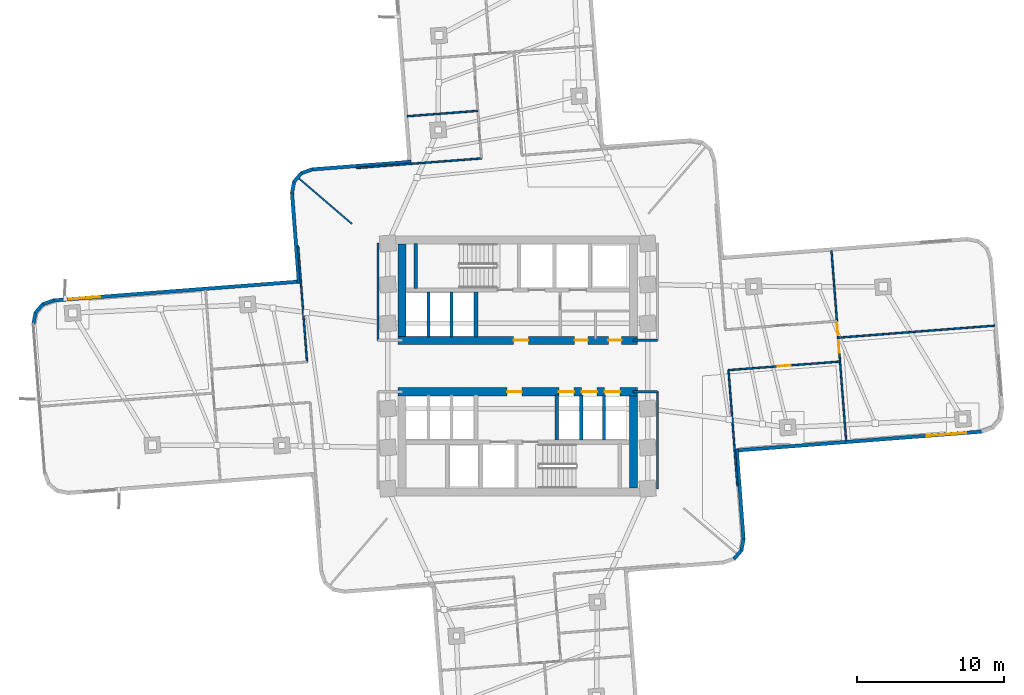
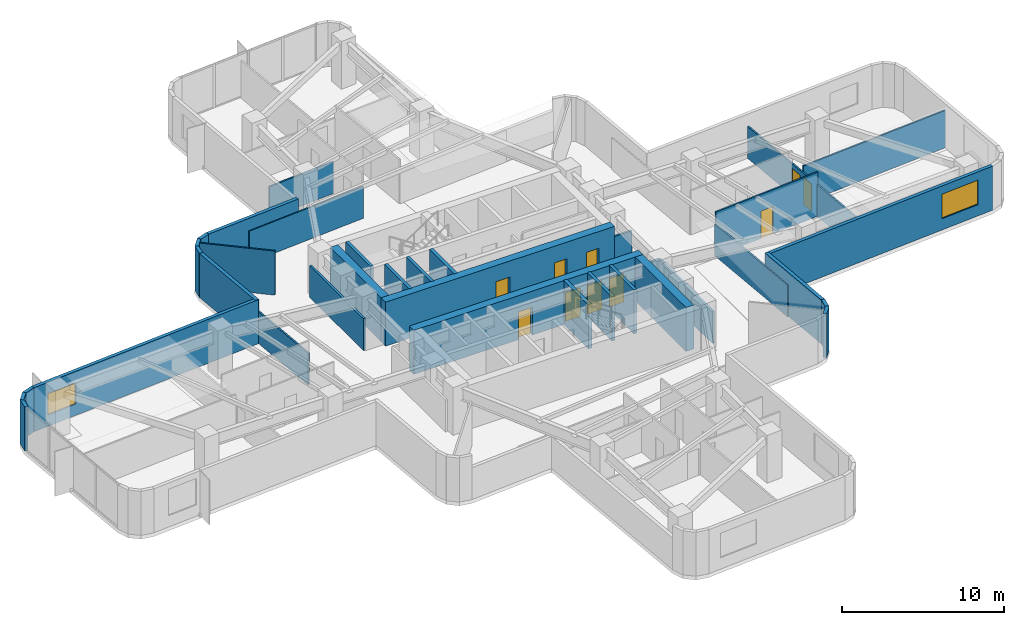
# One storey, part 9 of 15: 36 walls, 10 doors, 2 windows, 12 openings.
"""IFC4 building model written with IfcOpenShell, lengths in metres."""

from ifc_helpers import new_model, si_unit, direction, frame, frame_2d, origin, place, context, subcontext, project, spatial, rectangle, extrude, material, layer, layer_set, type_object, element, fill, save


model = new_model("IFC4")

# Units and contexts
model_context = context("Model", 3, precision=1e-05, world=origin(), true_north=direction((0.0, 1.0)))
body_context = subcontext(model_context, "Body", "Model", "MODEL_VIEW")
ifc_project = project(units=[si_unit("LENGTHUNIT", "METRE"), si_unit("AREAUNIT", "SQUARE_METRE"), si_unit("VOLUMEUNIT", "CUBIC_METRE"), si_unit("PLANEANGLEUNIT", "RADIAN"), si_unit("MASSUNIT", "GRAM", prefix="KILO")], contexts=[model_context])

# Site, building, storey
site_placement = place(None, origin())
site = spatial("IfcSite", under=ifc_project, at=site_placement, CompositionType="ELEMENT")
building_placement = place(site_placement, origin())
building = spatial("IfcBuilding", under=site, at=building_placement, Name="Solmarez Civic Tower", CompositionType="ELEMENT")
storey_placement = place(building_placement, frame((0.0, 0.0, 60.47998046875)))
storey = spatial("IfcBuildingStorey", under=building, at=storey_placement, Name="L15", CompositionType="ELEMENT", Elevation=60.47998046875)

# Wall, openings, doors
ifc_material_1 = material(Name="Concrete C60/75", Category="concrete")
ifc_layer_1 = layer(ifc_material_1, 0.550048828125)
ifc_layer_set_1 = layer_set([ifc_layer_1], Name="Concrete C60/75")
wall_type_1 = type_object("IfcWallType", Name="WALL-CORE-550", PredefinedType="SHEAR", material=ifc_layer_set_1)
wall_1_placement = place(storey_placement, frame((8.169921875, 1.75, 0.0), z_axis=(0.0, 0.0, 1.0), x_axis=(-1.0, 0.0, 0.0)))
wall_1 = element("IfcWall", 1, at=wall_1_placement, inside=storey, type_object=wall_type_1, Name="L15 Split-Core Structural Wall NCW-S-L15", PredefinedType="SHEAR", context=body_context, shape_type="SweptSolid", body=[
    extrude(rectangle(XDim=16.33984375, YDim=0.550048828125, at=frame_2d((8.169921875, 0.0))), origin(), (0.0, 0.0, 1.0), 3.320068359375),
])
opening_1_placement = place(wall_1_placement, frame((7.449951171875, 0.0, 0.0)))
opening_1 = element("IfcOpeningElement", 2, at=opening_1_placement, cuts=wall_1, Name="Opening D-04", PredefinedType="OPENING", context=body_context, shape_type="SweptSolid", body=[
    extrude(rectangle(XDim=1.0, YDim=2.10009765625, at=frame_2d((0.5, 1.050048828125))), frame((0.0, 0.284912109375, 0.0), z_axis=(0.0, -1.0, 0.0), x_axis=(1.0, 0.0, 0.0)), (0.0, 0.0, 1.0), 0.570068359375),
])
opening_2_placement = place(wall_1_placement, frame((3.39990234375, 0.0, 0.0)))
opening_2 = element("IfcOpeningElement", 3, at=opening_2_placement, cuts=wall_1, Name="Opening D-09", PredefinedType="OPENING", context=body_context, shape_type="SweptSolid", body=[
    extrude(rectangle(XDim=0.89990234375, YDim=2.06005859375, at=frame_2d((0.449951171875, 1.030029296875))), frame((0.0, 0.284912109375, 0.0), z_axis=(0.0, -1.0, 0.0), x_axis=(1.0, 0.0, 0.0)), (0.0, 0.0, 1.0), 0.570068359375),
])
opening_3_placement = place(wall_1_placement, frame((1.10009765625, 0.0, 0.0)))
opening_3 = element("IfcOpeningElement", 4, at=opening_3_placement, cuts=wall_1, Name="Opening D-09", PredefinedType="OPENING", context=body_context, shape_type="SweptSolid", body=[
    extrude(rectangle(XDim=0.89990234375, YDim=2.06005859375, at=frame_2d((0.449951171875, 1.030029296875))), frame((0.0, 0.284912109375, 0.0), z_axis=(0.0, -1.0, 0.0), x_axis=(1.0, 0.0, 0.0)), (0.0, 0.0, 1.0), 0.570068359375),
])
ifc_material_2 = material(Name="Steel-Faced Acoustic Fire Door", Category="steel")
door_type_1 = type_object("IfcDoorType", Name="DOOR-FD60-1000", OperationType="NOTDEFINED", PredefinedType="DOOR", material=ifc_material_2)
door_1_placement = place(opening_1_placement, origin())
door_1 = element("IfcDoor", 5, at=door_1_placement, inside=storey, type_object=door_type_1, Name="L15 North Firefighting Lobby Door", OperationType="SINGLE_SWING_RIGHT", OverallHeight=2.10009765625, OverallWidth=1.0, PredefinedType="DOOR", context=body_context, shape_type="SweptSolid", body=[
    extrude(rectangle(XDim=1.0, YDim=2.10009765625, at=frame_2d((0.5, 1.050048828125))), frame((0.0, 0.02490234375, 0.0), z_axis=(0.0, -1.0, 0.0), x_axis=(1.0, 0.0, 0.0)), (0.0, 0.0, 1.0), 0.050048828125),
])
fill(opening_1, door_1)
ifc_material_3 = material(Name="Fire-Rated Service Core Door", Category="wood")
door_type_2 = type_object("IfcDoorType", Name="DOOR-FD60-900", OperationType="NOTDEFINED", PredefinedType="DOOR", material=ifc_material_3)
door_2_placement = place(opening_2_placement, origin())
door_2 = element("IfcDoor", 6, at=door_2_placement, inside=storey, type_object=door_type_2, Name="L15 Core WC Door", OperationType="SINGLE_SWING_LEFT", OverallHeight=2.06005859375, OverallWidth=0.89990234375, PredefinedType="DOOR", context=body_context, shape_type="SweptSolid", body=[
    extrude(rectangle(XDim=0.89990234375, YDim=2.06005859375, at=frame_2d((0.449951171875, 1.030029296875))), frame((0.0, 0.02490234375, 0.0), z_axis=(0.0, -1.0, 0.0), x_axis=(1.0, 0.0, 0.0)), (0.0, 0.0, 1.0), 0.050048828125),
])
fill(opening_2, door_2)
door_3_placement = place(opening_3_placement, origin())
door_3 = element("IfcDoor", 7, at=door_3_placement, inside=storey, type_object=door_type_2, Name="L15 Core CL Door", OperationType="SINGLE_SWING_RIGHT", OverallHeight=2.06005859375, OverallWidth=0.89990234375, PredefinedType="DOOR", context=body_context, shape_type="SweptSolid", body=[
    extrude(rectangle(XDim=0.89990234375, YDim=2.06005859375, at=frame_2d((0.449951171875, 1.030029296875))), frame((0.0, 0.02490234375, 0.0), z_axis=(0.0, -1.0, 0.0), x_axis=(1.0, 0.0, 0.0)), (0.0, 0.0, 1.0), 0.050048828125),
])
fill(opening_3, door_3)

# Wall
wall_2_placement = place(storey_placement, frame((-7.89501953125, 2.02490234375, 0.0), z_axis=(0.0, 0.0, 1.0), x_axis=(0.0, 1.0, 0.0)))
element("IfcWall", 8, at=wall_2_placement, inside=storey, type_object=wall_type_1, Name="L15 Split-Core Structural Wall NCW-W-L15", PredefinedType="SHEAR", context=body_context, shape_type="SweptSolid", body=[
    extrude(rectangle(XDim=6.28515625, YDim=0.550048828125, at=frame_2d((3.142578125, 0.0))), origin(), (0.0, 0.0, 1.0), 3.320068359375),
])

# Wall, openings, doors
wall_3_placement = place(storey_placement, frame((-8.169921875, -1.75, 0.0), z_axis=(0.0, 0.0, 1.0), x_axis=(1.0, 0.0, 0.0)))
wall_3 = element("IfcWall", 9, at=wall_3_placement, inside=storey, type_object=wall_type_1, Name="L15 Split-Core Structural Wall SCW-N-L15", PredefinedType="SHEAR", context=body_context, shape_type="SweptSolid", body=[
    extrude(rectangle(XDim=16.33984375, YDim=0.550048828125, at=frame_2d((8.169921875, 0.0))), origin(), (0.0, 0.0, 1.0), 3.320068359375),
])
opening_4_placement = place(wall_3_placement, frame((7.449951171875, 0.0, 0.0)))
opening_4 = element("IfcOpeningElement", 10, at=opening_4_placement, cuts=wall_3, Name="Opening D-04", PredefinedType="OPENING", context=body_context, shape_type="SweptSolid", body=[
    extrude(rectangle(XDim=1.0, YDim=2.10009765625, at=frame_2d((0.5, 1.050048828125))), frame((0.0, 0.284912109375, 0.0), z_axis=(0.0, -1.0, 0.0), x_axis=(1.0, 0.0, 0.0)), (0.0, 0.0, 1.0), 0.570068359375),
])
opening_5_placement = place(wall_3_placement, frame((10.965087890625, 0.0, 0.0)))
opening_5 = element("IfcOpeningElement", 11, at=opening_5_placement, cuts=wall_3, Name="Opening LD-01", PredefinedType="OPENING", context=body_context, shape_type="SweptSolid", body=[
    extrude(rectangle(XDim=1.050048828125, YDim=2.14990234375, at=frame_2d((0.52490234375, 1.074951171875))), frame((0.0, 0.284912109375, 0.0), z_axis=(0.0, -1.0, 0.0), x_axis=(1.0, 0.0, 0.0)), (0.0, 0.0, 1.0), 0.570068359375),
])
opening_6_placement = place(wall_3_placement, frame((12.52490234375, 0.0, 0.0)))
opening_6 = element("IfcOpeningElement", 12, at=opening_6_placement, cuts=wall_3, Name="Opening LD-01", PredefinedType="OPENING", context=body_context, shape_type="SweptSolid", body=[
    extrude(rectangle(XDim=1.050048828125, YDim=2.14990234375, at=frame_2d((0.52490234375, 1.074951171875))), frame((0.0, 0.284912109375, 0.0), z_axis=(0.0, -1.0, 0.0), x_axis=(1.0, 0.0, 0.0)), (0.0, 0.0, 1.0), 0.570068359375),
])
opening_7_placement = place(wall_3_placement, frame((14.0849609375, 0.0, 0.0)))
opening_7 = element("IfcOpeningElement", 13, at=opening_7_placement, cuts=wall_3, Name="Opening LD-01", PredefinedType="OPENING", context=body_context, shape_type="SweptSolid", body=[
    extrude(rectangle(XDim=1.050048828125, YDim=2.14990234375, at=frame_2d((0.52490234375, 1.074951171875))), frame((0.0, 0.284912109375, 0.0), z_axis=(0.0, -1.0, 0.0), x_axis=(1.0, 0.0, 0.0)), (0.0, 0.0, 1.0), 0.570068359375),
])
door_4_placement = place(opening_4_placement, origin())
door_4 = element("IfcDoor", 14, at=door_4_placement, inside=storey, type_object=door_type_1, Name="L15 South Firefighting Lobby Door", OperationType="SINGLE_SWING_LEFT", OverallHeight=2.10009765625, OverallWidth=1.0, PredefinedType="DOOR", context=body_context, shape_type="SweptSolid", body=[
    extrude(rectangle(XDim=1.0, YDim=2.10009765625, at=frame_2d((0.5, 1.050048828125))), frame((0.0, 0.02490234375, 0.0), z_axis=(0.0, -1.0, 0.0), x_axis=(1.0, 0.0, 0.0)), (0.0, 0.0, 1.0), 0.050048828125),
])
fill(opening_4, door_4)
ifc_material_4 = material(Name="Bronze Passenger Lift Landing Sliding Door", Category="aluminium")
door_type_3 = type_object("IfcDoorType", Name="DOOR-LD-PAX-1050", OperationType="DOUBLE_DOOR_SLIDING", PredefinedType="DOOR", material=ifc_material_4)
door_5_placement = place(opening_5_placement, origin())
door_5 = element("IfcDoor", 15, at=door_5_placement, inside=storey, type_object=door_type_3, Name="L15 Low-Rise Lift Landing Door PL-L1", OperationType="DOUBLE_DOOR_SLIDING", OverallHeight=2.14990234375, OverallWidth=1.050048828125, PredefinedType="DOOR", context=body_context, shape_type="SweptSolid", body=[
    extrude(rectangle(XDim=1.050048828125, YDim=2.14990234375, at=frame_2d((0.52490234375, 1.074951171875))), frame((0.0, 0.02490234375, 0.0), z_axis=(0.0, -1.0, 0.0), x_axis=(1.0, 0.0, 0.0)), (0.0, 0.0, 1.0), 0.050048828125),
])
fill(opening_5, door_5)
door_6_placement = place(opening_6_placement, origin())
door_6 = element("IfcDoor", 16, at=door_6_placement, inside=storey, type_object=door_type_3, Name="L15 Low-Rise Lift Landing Door PL-L2", OperationType="DOUBLE_DOOR_SLIDING", OverallHeight=2.14990234375, OverallWidth=1.050048828125, PredefinedType="DOOR", context=body_context, shape_type="SweptSolid", body=[
    extrude(rectangle(XDim=1.050048828125, YDim=2.14990234375, at=frame_2d((0.52490234375, 1.074951171875))), frame((0.0, 0.02490234375, 0.0), z_axis=(0.0, -1.0, 0.0), x_axis=(1.0, 0.0, 0.0)), (0.0, 0.0, 1.0), 0.050048828125),
])
fill(opening_6, door_6)
door_7_placement = place(opening_7_placement, origin())
door_7 = element("IfcDoor", 17, at=door_7_placement, inside=storey, type_object=door_type_3, Name="L15 Low-Rise Lift Landing Door PL-L3", OperationType="DOUBLE_DOOR_SLIDING", OverallHeight=2.14990234375, OverallWidth=1.050048828125, PredefinedType="DOOR", context=body_context, shape_type="SweptSolid", body=[
    extrude(rectangle(XDim=1.050048828125, YDim=2.14990234375, at=frame_2d((0.52490234375, 1.074951171875))), frame((0.0, 0.02490234375, 0.0), z_axis=(0.0, -1.0, 0.0), x_axis=(1.0, 0.0, 0.0)), (0.0, 0.0, 1.0), 0.050048828125),
])
fill(opening_7, door_7)

# Walls
wall_4_placement = place(storey_placement, frame((7.89501953125, -2.02490234375, 0.0), z_axis=(0.0, 0.0, 1.0), x_axis=(0.0, -1.0, 0.0)))
element("IfcWall", 18, at=wall_4_placement, inside=storey, type_object=wall_type_1, Name="L15 Split-Core Structural Wall SCW-E-L15", PredefinedType="SHEAR", context=body_context, shape_type="SweptSolid", body=[
    extrude(rectangle(XDim=6.28515625, YDim=0.550048828125, at=frame_2d((3.142578125, 0.0))), origin(), (0.0, 0.0, 1.0), 3.320068359375),
])
ifc_material_5 = material(Name="Precast concrete C40/50", Category="concrete")
ifc_layer_2 = layer(ifc_material_5, 0.239990234375)
ifc_layer_set_2 = layer_set([ifc_layer_2], Name="Precast concrete C40/50")
wall_type_2 = type_object("IfcWallType", Name="WALL-EXT-240", PredefinedType="SOLIDWALL", material=ifc_layer_set_2)
wall_5_placement = place(storey_placement, frame((-33.001953125, 2.8359375, 0.0), z_axis=(0.0, 0.0, 1.0), x_axis=(0.185263427582, 0.982688894005, 0.0)))
element("IfcWall", 19, at=wall_5_placement, inside=storey, type_object=wall_type_2, Name="L15 Exterior Precast Wall 7", PredefinedType="SOLIDWALL", context=body_context, shape_type="SweptSolid", body=[
    extrude(rectangle(XDim=0.83154296875, YDim=0.239990234375, at=frame_2d((0.415771484375, 0.0))), origin(), (0.0, 0.0, 1.0), 3.320068359375),
])
wall_6_placement = place(storey_placement, frame((-32.868896484375, 3.60888671875, 0.0), z_axis=(0.0, 0.0, 1.0), x_axis=(0.650049601962, 0.759891778471, 0.0)))
element("IfcWall", 20, at=wall_6_placement, inside=storey, type_object=wall_type_2, Name="L15 Exterior Precast Wall 8", PredefinedType="SOLIDWALL", context=body_context, shape_type="SweptSolid", body=[
    extrude(rectangle(XDim=0.8134765625, YDim=0.239990234375, at=frame_2d((0.40673828125, 0.0))), origin(), (0.0, 0.0, 1.0), 3.320068359375),
])
wall_7_placement = place(storey_placement, frame((-32.3798828125, 4.199951171875, 0.0), z_axis=(0.0, 0.0, 1.0), x_axis=(0.943569376564, 0.331174926, 0.0)))
element("IfcWall", 21, at=wall_7_placement, inside=storey, type_object=wall_type_2, Name="L15 Exterior Precast Wall 9", PredefinedType="SOLIDWALL", context=body_context, shape_type="SweptSolid", body=[
    extrude(rectangle(XDim=0.830810546875, YDim=0.239990234375, at=frame_2d((0.41552734375, 0.0))), origin(), (0.0, 0.0, 1.0), 3.320068359375),
])

# Wall, opening, window
wall_8_placement = place(storey_placement, frame((-31.64501953125, 4.465087890625, 0.0), z_axis=(0.0, 0.0, 1.0), x_axis=(0.997051676532, 0.076733006752, 0.0)))
wall_8 = element("IfcWall", 22, at=wall_8_placement, inside=storey, type_object=wall_type_2, Name="L15 Exterior Precast Wall 10", PredefinedType="SOLIDWALL", context=body_context, shape_type="SweptSolid", body=[
    extrude(rectangle(XDim=16.875732421875, YDim=0.239990234375, at=frame_2d((8.43798828125, 0.0))), origin(), (0.0, 0.0, 1.0), 3.320068359375),
])
opening_8_placement = place(wall_8_placement, frame((1.10009765625, 0.0, 0.85009765625)))
opening_8 = element("IfcOpeningElement", 23, at=opening_8_placement, cuts=wall_8, Name="Opening W-11", PredefinedType="OPENING", context=body_context, shape_type="SweptSolid", body=[
    extrude(rectangle(XDim=2.10009765625, YDim=1.60009765625, at=frame_2d((1.050048828125, 0.800048828125))), frame((0.0, 0.1298828125, 0.0), z_axis=(0.0, -1.0, 0.0), x_axis=(1.0, 0.0, 0.0)), (0.0, 0.0, 1.0), 0.260009765625),
])
ifc_material_6 = material(Name="Solar Control Bronze-Tinted Insulating Glass", Category="glass")
window_type_1 = type_object("IfcWindowType", Name="WIN-2100X1600", PartitioningType="SINGLE_PANEL", PredefinedType="WINDOW", material=ifc_material_6)
window_1_placement = place(opening_8_placement, origin())
window_1 = element("IfcWindow", 24, at=window_1_placement, inside=storey, type_object=window_type_1, Name="L15 Exterior Facade Window 10", OverallHeight=1.60009765625, OverallWidth=2.10009765625, PartitioningType="SINGLE_PANEL", PredefinedType="WINDOW", context=body_context, shape_type="SweptSolid", body=[
    extrude(rectangle(XDim=2.10009765625, YDim=1.60009765625, at=frame_2d((1.050048828125, 0.800048828125))), frame((0.0, 0.030029296875, 0.0), z_axis=(0.0, -1.0, 0.0), x_axis=(1.0, 0.0, 0.0)), (0.0, 0.0, 1.0), 0.06005859375),
])
fill(opening_8, window_1)

# Walls
wall_9_placement = place(storey_placement, frame((-14.907958984375, 5.656982421875, 0.0), z_axis=(0.0, 0.0, 1.0), x_axis=(-0.076778128006, 0.997048202977, 0.0)))
element("IfcWall", 25, at=wall_9_placement, inside=storey, type_object=wall_type_2, Name="L15 Exterior Precast Wall 13", PredefinedType="SOLIDWALL", context=body_context, shape_type="SweptSolid", body=[
    extrude(rectangle(XDim=6.17529296875, YDim=0.239990234375, at=frame_2d((3.087646484375, 0.0))), origin(), (0.0, 0.0, 1.0), 3.320068359375),
])
wall_10_placement = place(storey_placement, frame((-15.385009765625, 11.763916015625, 0.0), z_axis=(0.0, 0.0, 1.0), x_axis=(0.185263427582, 0.982688894005, 0.0)))
element("IfcWall", 26, at=wall_10_placement, inside=storey, type_object=wall_type_2, Name="L15 Exterior Precast Wall 14", PredefinedType="SOLIDWALL", context=body_context, shape_type="SweptSolid", body=[
    extrude(rectangle(XDim=0.83154296875, YDim=0.239990234375, at=frame_2d((0.415771484375, 0.0))), origin(), (0.0, 0.0, 1.0), 3.320068359375),
])
wall_11_placement = place(storey_placement, frame((-15.251953125, 12.537109375, 0.0), z_axis=(0.0, 0.0, 1.0), x_axis=(0.650371098657, 0.759616636226, 0.0)))
element("IfcWall", 27, at=wall_11_placement, inside=storey, type_object=wall_type_2, Name="L15 Exterior Precast Wall 15", PredefinedType="SOLIDWALL", context=body_context, shape_type="SweptSolid", body=[
    extrude(rectangle(XDim=0.8134765625, YDim=0.239990234375, at=frame_2d((0.40673828125, 0.0))), origin(), (0.0, 0.0, 1.0), 3.320068359375),
])
wall_12_placement = place(storey_placement, frame((-14.762939453125, 13.1279296875, 0.0), z_axis=(0.0, 0.0, 1.0), x_axis=(0.943569376564, 0.331174926, 0.0)))
element("IfcWall", 28, at=wall_12_placement, inside=storey, type_object=wall_type_2, Name="L15 Exterior Precast Wall 16", PredefinedType="SOLIDWALL", context=body_context, shape_type="SweptSolid", body=[
    extrude(rectangle(XDim=0.830810546875, YDim=0.239990234375, at=frame_2d((0.41552734375, 0.0))), origin(), (0.0, 0.0, 1.0), 3.320068359375),
])
wall_13_placement = place(storey_placement, frame((-14.028076171875, 13.39306640625, 0.0), z_axis=(0.0, 0.0, 1.0), x_axis=(0.997050032451, 0.076754366588, 0.0)))
element("IfcWall", 29, at=wall_13_placement, inside=storey, type_object=wall_type_2, Name="L15 Exterior Precast Wall 17", PredefinedType="SOLIDWALL", context=body_context, shape_type="SweptSolid", body=[
    extrude(rectangle(XDim=6.775146484375, YDim=0.239990234375, at=frame_2d((3.3876953125, 0.0))), origin(), (0.0, 0.0, 1.0), 3.320068359375),
])

# Wall, opening, window
wall_14_placement = place(storey_placement, frame((31.64501953125, -4.465087890625, 0.0), z_axis=(0.0, 0.0, 1.0), x_axis=(-0.997051676532, -0.076733006752, 0.0)))
wall_14 = element("IfcWall", 30, at=wall_14_placement, inside=storey, type_object=wall_type_2, Name="L15 Exterior Precast Wall 46", PredefinedType="SOLIDWALL", context=body_context, shape_type="SweptSolid", body=[
    extrude(rectangle(XDim=16.875732421875, YDim=0.239990234375, at=frame_2d((8.43798828125, 0.0))), origin(), (0.0, 0.0, 1.0), 3.320068359375),
])
opening_9_placement = place(wall_14_placement, frame((1.10009765625, 0.0, 0.85009765625)))
opening_9 = element("IfcOpeningElement", 31, at=opening_9_placement, cuts=wall_14, Name="Opening W-05", PredefinedType="OPENING", context=body_context, shape_type="SweptSolid", body=[
    extrude(rectangle(XDim=2.699951171875, YDim=1.85009765625, at=frame_2d((1.35009765625, 0.925048828125))), frame((0.0, 0.1298828125, 0.0), z_axis=(0.0, -1.0, 0.0), x_axis=(1.0, 0.0, 0.0)), (0.0, 0.0, 1.0), 0.260009765625),
])
window_type_2 = type_object("IfcWindowType", Name="WIN-2700X1850", PartitioningType="SINGLE_PANEL", PredefinedType="WINDOW", material=ifc_material_6)
window_2_placement = place(opening_9_placement, origin())
window_2 = element("IfcWindow", 32, at=window_2_placement, inside=storey, type_object=window_type_2, Name="L15 Exterior Facade Window 46", OverallHeight=1.85009765625, OverallWidth=2.699951171875, PartitioningType="SINGLE_PANEL", PredefinedType="WINDOW", context=body_context, shape_type="SweptSolid", body=[
    extrude(rectangle(XDim=2.699951171875, YDim=1.85009765625, at=frame_2d((1.35009765625, 0.925048828125))), frame((0.0, 0.030029296875, 0.0), z_axis=(0.0, -1.0, 0.0), x_axis=(1.0, 0.0, 0.0)), (0.0, 0.0, 1.0), 0.06005859375),
])
fill(opening_9, window_2)

# Walls
wall_15_placement = place(storey_placement, frame((14.907958984375, -5.656982421875, 0.0), z_axis=(0.0, 0.0, 1.0), x_axis=(0.076778128006, -0.997048202977, 0.0)))
element("IfcWall", 33, at=wall_15_placement, inside=storey, type_object=wall_type_2, Name="L15 Exterior Precast Wall 49", PredefinedType="SOLIDWALL", context=body_context, shape_type="SweptSolid", body=[
    extrude(rectangle(XDim=6.17529296875, YDim=0.239990234375, at=frame_2d((3.087646484375, 0.0))), origin(), (0.0, 0.0, 1.0), 3.320068359375),
])
wall_16_placement = place(storey_placement, frame((15.385009765625, -11.763916015625, 0.0), z_axis=(0.0, 0.0, 1.0), x_axis=(-0.185263427582, -0.982688894005, 0.0)))
element("IfcWall", 34, at=wall_16_placement, inside=storey, type_object=wall_type_2, Name="L15 Exterior Precast Wall 50", PredefinedType="SOLIDWALL", context=body_context, shape_type="SweptSolid", body=[
    extrude(rectangle(XDim=0.83154296875, YDim=0.239990234375, at=frame_2d((0.415771484375, 0.0))), origin(), (0.0, 0.0, 1.0), 3.320068359375),
])
wall_17_placement = place(storey_placement, frame((15.251953125, -12.537109375, 0.0), z_axis=(0.0, 0.0, 1.0), x_axis=(-0.650371098657, -0.759616636226, 0.0)))
element("IfcWall", 35, at=wall_17_placement, inside=storey, type_object=wall_type_2, Name="L15 Exterior Precast Wall 51", PredefinedType="SOLIDWALL", context=body_context, shape_type="SweptSolid", body=[
    extrude(rectangle(XDim=0.8134765625, YDim=0.239990234375, at=frame_2d((0.40673828125, 0.0))), origin(), (0.0, 0.0, 1.0), 3.320068359375),
])
ifc_material_7 = material(Name="Gypsum Board Acoustic Steel-Stud Partition", Category="steel")
ifc_layer_3 = layer(ifc_material_7, 0.14990234375)
ifc_layer_set_3 = layer_set([ifc_layer_3], Name="Gypsum Board Acoustic Steel-Stud Partition")
wall_type_3 = type_object("IfcWallType", Name="WALL-INT-FIRE-150", PredefinedType="PARTITIONING", material=ifc_layer_set_3)
wall_18_placement = place(storey_placement, frame((-9.52001953125, 1.75, 0.0), z_axis=(0.0, 0.0, 1.0), x_axis=(0.0, 1.0, 0.0)))
element("IfcWall", 36, at=wall_18_placement, inside=storey, type_object=wall_type_3, Name="L15 Interior Partition CHW-L15-WN1", PredefinedType="PARTITIONING", context=body_context, shape_type="SweptSolid", body=[
    extrude(rectangle(XDim=6.6298828125, YDim=0.14990234375, at=frame_2d((3.31494140625, 0.0))), origin(), (0.0, 0.0, 1.0), 2.401123046875),
])
wall_19_placement = place(storey_placement, frame((7.85009765625, 1.75, 0.0), z_axis=(0.0, 0.0, 1.0), x_axis=(1.0, 0.0, 0.0)))
element("IfcWall", 37, at=wall_19_placement, inside=storey, type_object=wall_type_3, Name="L15 Interior Partition CHW-L15-EN3", PredefinedType="PARTITIONING", context=body_context, shape_type="SweptSolid", body=[
    extrude(rectangle(XDim=1.669921875, YDim=0.14990234375, at=frame_2d((0.8349609375, 0.0))), origin(), (0.0, 0.0, 1.0), 2.385009765625),
])
wall_20_placement = place(storey_placement, frame((9.52001953125, -8.3798828125, 0.0), z_axis=(0.0, 0.0, 1.0), x_axis=(0.0, 1.0, 0.0)))
element("IfcWall", 38, at=wall_20_placement, inside=storey, type_object=wall_type_3, Name="L15 Interior Partition CHW-L15-ES1", PredefinedType="PARTITIONING", context=body_context, shape_type="SweptSolid", body=[
    extrude(rectangle(XDim=6.6298828125, YDim=0.14990234375, at=frame_2d((3.31494140625, 0.0))), origin(), (0.0, 0.0, 1.0), 2.401123046875),
])
wall_21_placement = place(storey_placement, frame((7.85009765625, -1.75, 0.0), z_axis=(0.0, 0.0, 1.0), x_axis=(1.0, 0.0, 0.0)))
element("IfcWall", 39, at=wall_21_placement, inside=storey, type_object=wall_type_3, Name="L15 Interior Partition CHW-L15-ES3", PredefinedType="PARTITIONING", context=body_context, shape_type="SweptSolid", body=[
    extrude(rectangle(XDim=1.669921875, YDim=0.14990234375, at=frame_2d((0.8349609375, 0.0))), origin(), (0.0, 0.0, 1.0), 2.385009765625),
])
ifc_layer_4 = layer(ifc_material_7, 0.110107421875)
ifc_layer_set_4 = layer_set([ifc_layer_4], Name="Gypsum Board Acoustic Steel-Stud Partition")
wall_type_4 = type_object("IfcWallType", Name="WALL-INT-PART-110", PredefinedType="PARTITIONING", material=ifc_layer_set_4)
wall_22_placement = place(storey_placement, frame((-11.300048828125, 9.68505859375, 0.0), z_axis=(0.0, 0.0, 1.0), x_axis=(-0.759206042513, 0.650850355313, 0.0)))
element("IfcWall", 40, at=wall_22_placement, inside=storey, type_object=wall_type_4, Name="L15 Interior Partition PT-L15-QDIV-2", PredefinedType="PARTITIONING", context=body_context, shape_type="SweptSolid", body=[
    extrude(rectangle(XDim=4.772216796875, YDim=0.110107421875, at=frame_2d((2.38623046875, 0.0))), origin(), (0.0, 0.0, 1.0), 3.320068359375),
])
wall_23_placement = place(storey_placement, frame((14.962890625, -8.197021484375, 0.0), z_axis=(0.0, 0.0, 1.0), x_axis=(-0.076708240121, 0.99705358226, 0.0)))
element("IfcWall", 41, at=wall_23_placement, inside=storey, type_object=wall_type_4, Name="L15 Interior Partition PT-L15-E-EFR", PredefinedType="PARTITIONING", context=body_context, shape_type="SweptSolid", body=[
    extrude(rectangle(XDim=7.950439453125, YDim=0.110107421875, at=frame_2d((3.97509765625, 0.0))), origin(), (0.0, 0.0, 1.0), 2.401123046875),
])

# Wall, opening, door
wall_24_placement = place(storey_placement, frame((14.35400390625, -0.280029296875, 0.0), z_axis=(0.0, 0.0, 1.0), x_axis=(0.997048639669, 0.076772456877, 0.0)))
wall_24 = element("IfcWall", 42, at=wall_24_placement, inside=storey, type_object=wall_type_4, Name="L15 Interior Partition PT-L15-E-SR", PredefinedType="PARTITIONING", context=body_context, shape_type="SweptSolid", body=[
    extrude(rectangle(XDim=7.619384765625, YDim=0.110107421875, at=frame_2d((3.8095703125, 0.0))), origin(), (0.0, 0.0, 1.0), 3.320068359375),
])
opening_10_placement = place(wall_24_placement, frame((3.360107421875, 0.0, 0.0)))
opening_10 = element("IfcOpeningElement", 43, at=opening_10_placement, cuts=wall_24, Name="Opening D-08", PredefinedType="OPENING", context=body_context, shape_type="SweptSolid", body=[
    extrude(rectangle(XDim=0.89990234375, YDim=2.06005859375, at=frame_2d((0.449951171875, 1.030029296875))), frame((0.0, 0.06494140625, 0.0), z_axis=(0.0, -1.0, 0.0), x_axis=(1.0, 0.0, 0.0)), (0.0, 0.0, 1.0), 0.130126953125),
])
ifc_material_8 = material(Name="Solid-Core Timber Office Door", Category="wood")
door_type_4 = type_object("IfcDoorType", Name="DOOR-INT-900", OperationType="NOTDEFINED", PredefinedType="DOOR", material=ifc_material_8)
door_8_placement = place(opening_10_placement, origin())
door_8 = element("IfcDoor", 44, at=door_8_placement, inside=storey, type_object=door_type_4, Name="L15 Catering Servery East Door", OperationType="SINGLE_SWING_RIGHT", OverallHeight=2.06005859375, OverallWidth=0.89990234375, PredefinedType="DOOR", context=body_context, shape_type="SweptSolid", body=[
    extrude(rectangle(XDim=0.89990234375, YDim=2.06005859375, at=frame_2d((0.449951171875, 1.030029296875))), frame((0.0, 0.02490234375, 0.0), z_axis=(0.0, -1.0, 0.0), x_axis=(1.0, 0.0, 0.0)), (0.0, 0.0, 1.0), 0.050048828125),
])
fill(opening_10, door_8)

# Wall
wall_25_placement = place(storey_placement, frame((21.885986328125, 1.93505859375, 0.0), z_axis=(0.0, 0.0, 1.0), x_axis=(0.997054350339, 0.076698255973, 0.0)))
element("IfcWall", 45, at=wall_25_placement, inside=storey, type_object=wall_type_4, Name="L15 Interior Partition PT-L15-E-TM", PredefinedType="PARTITIONING", context=body_context, shape_type="SweptSolid", body=[
    extrude(rectangle(XDim=10.625244140625, YDim=0.110107421875, at=frame_2d((5.3125, 0.0))), origin(), (0.0, 0.0, 1.0), 2.81201171875),
])

# Wall, openings, doors
wall_26_placement = place(storey_placement, frame((21.3701171875, 7.85791015625, 0.0), z_axis=(0.0, 0.0, 1.0), x_axis=(0.076662005745, -0.99705713822, 0.0)))
wall_26 = element("IfcWall", 46, at=wall_26_placement, inside=storey, type_object=wall_type_4, Name="L15 Interior Partition PT-L15-E-END", PredefinedType="PARTITIONING", context=body_context, shape_type="SweptSolid", body=[
    extrude(rectangle(XDim=12.990234375, YDim=0.110107421875, at=frame_2d((6.4951171875, 0.0))), origin(), (0.0, 0.0, 1.0), 2.401123046875),
])
opening_11_placement = place(wall_26_placement, frame((6.114990234375, 0.0, 0.0)))
opening_11 = element("IfcOpeningElement", 47, at=opening_11_placement, cuts=wall_26, Name="Opening D-14", PredefinedType="OPENING", context=body_context, shape_type="SweptSolid", body=[
    extrude(rectangle(XDim=0.860107421875, YDim=2.0400390625, at=frame_2d((0.43017578125, 1.02001953125))), frame((0.0, 0.06494140625, 0.0), z_axis=(0.0, -1.0, 0.0), x_axis=(1.0, 0.0, 0.0)), (0.0, 0.0, 1.0), 0.130126953125),
])
opening_12_placement = place(wall_26_placement, frame((4.9150390625, 0.0, 0.0)))
opening_12 = element("IfcOpeningElement", 48, at=opening_12_placement, cuts=wall_26, Name="Opening D-14", PredefinedType="OPENING", context=body_context, shape_type="SweptSolid", body=[
    extrude(rectangle(XDim=0.860107421875, YDim=2.0400390625, at=frame_2d((0.43017578125, 1.02001953125))), frame((0.0, 0.06494140625, 0.0), z_axis=(0.0, -1.0, 0.0), x_axis=(1.0, 0.0, 0.0)), (0.0, 0.0, 1.0), 0.130126953125),
])
ifc_material_9 = material(Name="Timber Storage and Pantry Door", Category="wood")
door_type_5 = type_object("IfcDoorType", Name="DOOR-INT-850", OperationType="NOTDEFINED", PredefinedType="DOOR", material=ifc_material_9)
door_9_placement = place(opening_11_placement, origin())
door_9 = element("IfcDoor", 49, at=door_9_placement, inside=storey, type_object=door_type_5, Name="L15 Civic Multi-Purpose Room Sixth East Door", OperationType="SINGLE_SWING_RIGHT", OverallHeight=2.0400390625, OverallWidth=0.860107421875, PredefinedType="DOOR", context=body_context, shape_type="SweptSolid", body=[
    extrude(rectangle(XDim=0.860107421875, YDim=2.0400390625, at=frame_2d((0.43017578125, 1.02001953125))), frame((0.0, 0.02490234375, 0.0), z_axis=(0.0, -1.0, 0.0), x_axis=(1.0, 0.0, 0.0)), (0.0, 0.0, 1.0), 0.050048828125),
])
fill(opening_11, door_9)
door_10_placement = place(opening_12_placement, origin())
door_10 = element("IfcDoor", 50, at=door_10_placement, inside=storey, type_object=door_type_5, Name="L15 Delegates Sitting Lounge Fifth East Door", OperationType="SINGLE_SWING_LEFT", OverallHeight=2.0400390625, OverallWidth=0.860107421875, PredefinedType="DOOR", context=body_context, shape_type="SweptSolid", body=[
    extrude(rectangle(XDim=0.860107421875, YDim=2.0400390625, at=frame_2d((0.43017578125, 1.02001953125))), frame((0.0, 0.02490234375, 0.0), z_axis=(0.0, -1.0, 0.0), x_axis=(1.0, 0.0, 0.0)), (0.0, 0.0, 1.0), 0.050048828125),
])
fill(opening_12, door_10)

# Walls
wall_27_placement = place(storey_placement, frame((-2.4619140625, 14.14306640625, 0.0), z_axis=(0.0, 0.0, 1.0), x_axis=(-0.997052469631, -0.076722700704, 0.0)))
element("IfcWall", 51, at=wall_27_placement, inside=storey, type_object=wall_type_4, Name="L15 Interior Partition PT-L15-N-EFL", PredefinedType="PARTITIONING", context=body_context, shape_type="SweptSolid", body=[
    extrude(rectangle(XDim=8.55029296875, YDim=0.110107421875, at=frame_2d((4.275146484375, 0.0))), origin(), (0.0, 0.0, 1.0), 2.401123046875),
])
wall_28_placement = place(storey_placement, frame((-2.741943359375, 17.381103515625, 0.0), z_axis=(0.0, 0.0, 1.0), x_axis=(-0.99704699188, -0.07679385381, 0.0)))
element("IfcWall", 52, at=wall_28_placement, inside=storey, type_object=wall_type_4, Name="L15 Interior Partition PT-L15-N-LM", PredefinedType="PARTITIONING", context=body_context, shape_type="SweptSolid", body=[
    extrude(rectangle(XDim=4.794189453125, YDim=0.110107421875, at=frame_2d((2.39697265625, 0.0))), origin(), (0.0, 0.0, 1.0), 2.401123046875),
])
wall_29_placement = place(storey_placement, frame((-14.962890625, 8.197021484375, 0.0), z_axis=(0.0, 0.0, 1.0), x_axis=(0.076708240121, -0.99705358226, 0.0)))
element("IfcWall", 53, at=wall_29_placement, inside=storey, type_object=wall_type_4, Name="L15 Interior Partition PT-L15-W-EFR", PredefinedType="PARTITIONING", context=body_context, shape_type="SweptSolid", body=[
    extrude(rectangle(XDim=7.950439453125, YDim=0.110107421875, at=frame_2d((3.97509765625, 0.0))), origin(), (0.0, 0.0, 1.0), 2.401123046875),
])
ifc_material_10 = material(Name="Concrete C50/60", Category="concrete")
ifc_layer_5 = layer(ifc_material_10, 0.300048828125)
ifc_layer_set_5 = layer_set([ifc_layer_5], Name="Concrete C50/60")
wall_type_5 = type_object("IfcWallType", Name="WALL-STR-300", PredefinedType="SOLIDWALL", material=ifc_layer_set_5)
wall_30_placement = place(storey_placement, frame((-6.949951171875, 5.280029296875, 0.0), z_axis=(0.0, 0.0, 1.0), x_axis=(0.0, 1.0, 0.0)))
element("IfcWall", 54, at=wall_30_placement, inside=storey, type_object=wall_type_5, Name="L15 Split-Core Structural Wall SHW-NW-L15", PredefinedType="SOLIDWALL", context=body_context, shape_type="SweptSolid", body=[
    extrude(rectangle(XDim=3.06005859375, YDim=0.219970703125, at=frame_2d((1.530029296875, 0.0))), origin(), (0.0, 0.0, 1.0), 3.320068359375),
])
for number, where, z_axis, x_axis, name in (
    (55, (-2.85009765625, 1.97998046875, 0.0), (0.0, 0.0, 1.0), (0.0, 1.0, 0.0), "L15 Split-Core Structural Wall SHW-NL1-L15"),
    (56, (2.64990234375, -5.050048828125, 0.0), (0.0, 0.0, 1.0), (0.0, 1.0, 0.0), "L15 Split-Core Structural Wall SHW-SL2-L15"),
):
    element("IfcWall", number, at=place(storey_placement, frame(where, z_axis=z_axis, x_axis=x_axis)), inside=storey, type_object=wall_type_5, Name=name, PredefinedType="SOLIDWALL", context=body_context, shape_type="SweptSolid", body=[
        extrude(rectangle(XDim=3.070068359375, YDim=0.25, at=frame_2d((1.53515625, 0.0))), origin(), (0.0, 0.0, 1.0), 3.320068359375),
    ])
for number, where, z_axis, x_axis, name in (
    (57, (-6.080078125, 1.97998046875, 0.0), (0.0, 0.0, 1.0), (0.0, 1.0, 0.0), "L15 Split-Core Structural Wall SHW-PLH-L15-1"),
    (58, (-4.52001953125, 1.97998046875, 0.0), (0.0, 0.0, 1.0), (0.0, 1.0, 0.0), "L15 Split-Core Structural Wall SHW-PLH-L15-2"),
    (59, (4.320068359375, -5.050048828125, 0.0), (0.0, 0.0, 1.0), (0.0, 1.0, 0.0), "L15 Split-Core Structural Wall SHW-PLL-L15-1"),
    (60, (5.8798828125, -5.050048828125, 0.0), (0.0, 0.0, 1.0), (0.0, 1.0, 0.0), "L15 Split-Core Structural Wall SHW-PLL-L15-2"),
):
    element("IfcWall", number, at=place(storey_placement, frame(where, z_axis=z_axis, x_axis=x_axis)), inside=storey, type_object=wall_type_5, Name=name, PredefinedType="SOLIDWALL", context=body_context, shape_type="SweptSolid", body=[
        extrude(rectangle(XDim=3.070068359375, YDim=0.219970703125, at=frame_2d((1.53515625, 0.0))), origin(), (0.0, 0.0, 1.0), 3.320068359375),
    ])

save(model, "model.ifc")
